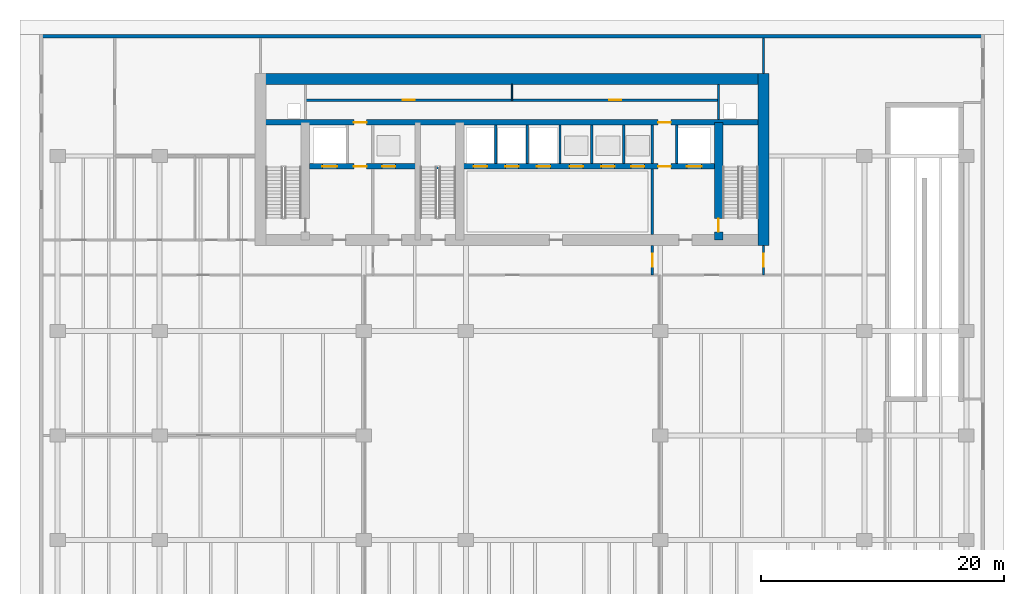
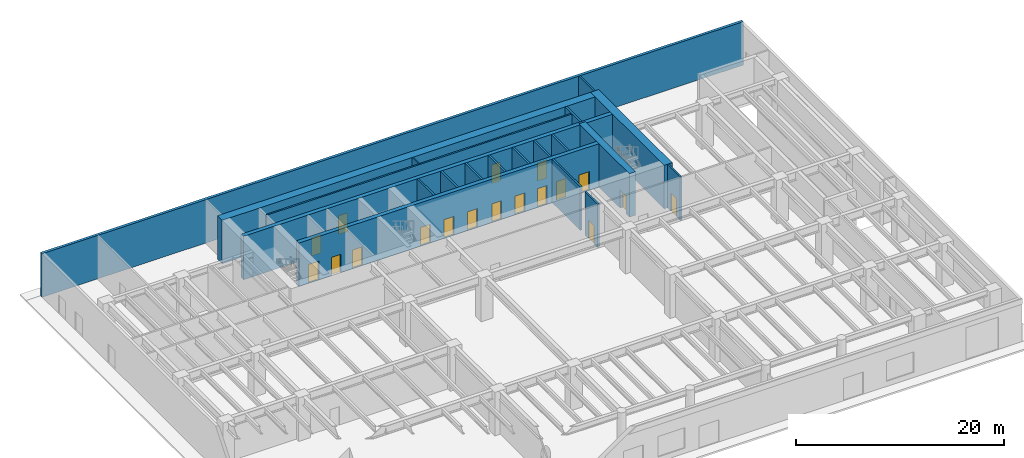
# One storey, part 6 of 11: 20 walls, 18 doors, 18 openings.
"""IFC4 building model written with IfcOpenShell, lengths in metres."""

from ifc_helpers import new_model, si_unit, direction, frame, frame_2d, origin, place, context, subcontext, project, spatial, rectangle, extrude, material, layer, layer_set, type_object, element, fill, save


model = new_model("IFC4")

# Units and contexts
model_context = context("Model", 3, precision=1e-05, world=origin(), true_north=direction((0.0, 1.0)))
body_context = subcontext(model_context, "Body", "Model", "MODEL_VIEW")
ifc_project = project(units=[si_unit("LENGTHUNIT", "METRE"), si_unit("AREAUNIT", "SQUARE_METRE"), si_unit("VOLUMEUNIT", "CUBIC_METRE"), si_unit("PLANEANGLEUNIT", "RADIAN"), si_unit("MASSUNIT", "GRAM", prefix="KILO")], contexts=[model_context])

# Site, building, storey
site_placement = place(None, origin())
site = spatial("IfcSite", under=ifc_project, at=site_placement, CompositionType="ELEMENT")
building_placement = place(site_placement, origin())
building = spatial("IfcBuilding", under=site, at=building_placement, Name="Caelmar Bay Residences", CompositionType="ELEMENT")
storey_placement = place(building_placement, origin())
storey = spatial("IfcBuildingStorey", under=building, at=storey_placement, Name="L00", CompositionType="ELEMENT", Elevation=0.0)

# Wall, opening, door
ifc_material_1 = material(Name="Concrete f'c 55 MPa (8,000 psi)", Category="concrete")
ifc_layer_1 = layer(ifc_material_1, 0.699951171875)
ifc_layer_set_1 = layer_set([ifc_layer_1], Name="Concrete f'c 55 MPa (8,000 psi)")
wall_type_1 = type_object("IfcWallType", Name="SW-COR-700", PredefinedType="SHEAR", material=ifc_layer_set_1)
wall_1_placement = place(storey_placement, frame((55.89990234375, 36.89990234375, 0.0), z_axis=(0.0, 0.0, 1.0), x_axis=(0.0, 1.0, 0.0)))
wall_1 = element("IfcWall", 1, at=wall_1_placement, inside=storey, type_object=wall_type_1, Name="L00 Core Structural Web Wall ST2W", PredefinedType="SHEAR", context=body_context, shape_type="SweptSolid", body=[
    extrude(rectangle(XDim=9.675048828125, YDim=0.699951171875, at=frame_2d((4.83740234375, 0.0))), origin(), (0.0, 0.0, 1.0), 5.10009765625),
])
opening_1_placement = place(wall_1_placement, frame((0.64990234375, 0.0, 0.0)))
opening_1 = element("IfcOpeningElement", 2, at=opening_1_placement, cuts=wall_1, Name="Opening D-L00-115", PredefinedType="OPENING", context=body_context, shape_type="SweptSolid", body=[
    extrude(rectangle(XDim=1.10009765625, YDim=2.14990234375, at=frame_2d((0.550048828125, 1.074951171875))), frame((0.0, 0.35986328125, 0.0), z_axis=(0.0, -1.0, 0.0), x_axis=(1.0, 0.0, 0.0)), (0.0, 0.0, 1.0), 0.719970703125),
])
ifc_material_2 = material(Name="Fire-rated steel and walnut architectural door assembly", Category="steel")
ifc_layer_2 = layer(ifc_material_2, 0.050048828125)
ifc_layer_set_2 = layer_set([ifc_layer_2], Name="Fire-rated steel and walnut architectural door assembly")
door_type_1 = type_object("IfcDoorType", Name="D-STAIR-1100", OperationType="NOTDEFINED", PredefinedType="DOOR", material=ifc_layer_set_2)
door_1_placement = place(opening_1_placement, origin())
door_1 = element("IfcDoor", 3, at=door_1_placement, inside=storey, type_object=door_type_1, Name="L00 Firefighting Lobby East Door", OperationType="SINGLE_SWING_RIGHT", OverallHeight=2.14990234375, OverallWidth=1.10009765625, PredefinedType="DOOR", context=body_context, shape_type="SweptSolid", body=[
    extrude(rectangle(XDim=1.10009765625, YDim=2.14990234375, at=frame_2d((0.550048828125, 1.074951171875))), frame((0.0, 0.02490234375, 0.0), z_axis=(0.0, -1.0, 0.0), x_axis=(1.0, 0.0, 0.0)), (0.0, 0.0, 1.0), 0.050048828125),
])
fill(opening_1, door_1)

# Walls
ifc_material_3 = material(Name="Concrete f'c 70 MPa (10,000 psi)", Category="concrete")
ifc_layer_3 = layer(ifc_material_3, 0.89990234375)
ifc_layer_set_3 = layer_set([ifc_layer_3], Name="Concrete f'c 70 MPa (10,000 psi)")
wall_type_2 = type_object("IfcWallType", Name="SW-COR-900", PredefinedType="SHEAR", material=ifc_layer_set_3)
wall_2_placement = place(storey_placement, frame((17.75, 50.14990234375, 0.0), z_axis=(0.0, 0.0, 1.0), x_axis=(1.0, 0.0, 0.0)))
element("IfcWall", 4, at=wall_2_placement, inside=storey, type_object=wall_type_2, Name="L00 Rear Core North Shear Wall", PredefinedType="SHEAR", context=body_context, shape_type="SweptSolid", body=[
    extrude(rectangle(XDim=42.300048828125, YDim=0.89990234375, at=frame_2d((21.14990234375, 0.0))), origin(), (0.0, 0.0, 1.0), 5.10009765625),
])
wall_3_placement = place(storey_placement, frame((59.60009765625, 36.449951171875, 0.0), z_axis=(0.0, 0.0, 1.0), x_axis=(0.0, 1.0, 0.0)))
element("IfcWall", 5, at=wall_3_placement, inside=storey, type_object=wall_type_2, Name="L00 Rear Core East Shear Wall", PredefinedType="SHEAR", context=body_context, shape_type="SweptSolid", body=[
    extrude(rectangle(XDim=14.150146484375, YDim=0.89990234375, at=frame_2d((7.0751953125, 0.0))), origin(), (0.0, 0.0, 1.0), 5.10009765625),
])

# Wall, openings, doors
ifc_layer_4 = layer(ifc_material_3, 0.449951171875)
ifc_layer_set_4 = layer_set([ifc_layer_4], Name="Concrete f'c 70 MPa (10,000 psi)")
wall_type_3 = type_object("IfcWallType", Name="SW-WEB-450", PredefinedType="SHEAR", material=ifc_layer_set_4)
wall_4_placement = place(storey_placement, frame((22.25, 42.949951171875, 0.0), z_axis=(0.0, 0.0, 1.0), x_axis=(1.0, 0.0, 0.0)))
wall_4 = element("IfcWall", 6, at=wall_4_placement, inside=storey, type_object=wall_type_3, Name="L00 Core Structural Web Wall LFR", PredefinedType="SHEAR", context=body_context, shape_type="SweptSolid", body=[
    extrude(rectangle(XDim=33.300048828125, YDim=0.449951171875, at=frame_2d((16.64990234375, 0.0))), origin(), (0.0, 0.0, 1.0), 5.10009765625),
])
opening_2_placement = place(wall_4_placement, frame((1.050048828125, 0.0, 0.0)))
opening_2 = element("IfcOpeningElement", 7, at=opening_2_placement, cuts=wall_4, Name="Opening LD2", PredefinedType="OPENING", context=body_context, shape_type="SweptSolid", body=[
    extrude(rectangle(XDim=1.199951171875, YDim=2.199951171875, at=frame_2d((0.60009765625, 1.10009765625))), frame((0.0, 0.23486328125, 0.0), z_axis=(0.0, -1.0, 0.0), x_axis=(1.0, 0.0, 0.0)), (0.0, 0.0, 1.0), 0.469970703125),
])
opening_3_placement = place(wall_4_placement, frame((31.050048828125, 0.0, 0.0)))
opening_3 = element("IfcOpeningElement", 8, at=opening_3_placement, cuts=wall_4, Name="Opening LD2", PredefinedType="OPENING", context=body_context, shape_type="SweptSolid", body=[
    extrude(rectangle(XDim=1.199951171875, YDim=2.199951171875, at=frame_2d((0.60009765625, 1.10009765625))), frame((0.0, 0.23486328125, 0.0), z_axis=(0.0, -1.0, 0.0), x_axis=(1.0, 0.0, 0.0)), (0.0, 0.0, 1.0), 0.469970703125),
])
opening_4_placement = place(wall_4_placement, frame((13.5, 0.0, 0.0)))
opening_4 = element("IfcOpeningElement", 9, at=opening_4_placement, cuts=wall_4, Name="Opening LD1", PredefinedType="OPENING", context=body_context, shape_type="SweptSolid", body=[
    extrude(rectangle(XDim=1.10009765625, YDim=2.199951171875, at=frame_2d((0.550048828125, 1.10009765625))), frame((0.0, 0.23486328125, 0.0), z_axis=(0.0, -1.0, 0.0), x_axis=(1.0, 0.0, 0.0)), (0.0, 0.0, 1.0), 0.469970703125),
])
opening_5_placement = place(wall_4_placement, frame((16.10009765625, 0.0, 0.0)))
opening_5 = element("IfcOpeningElement", 10, at=opening_5_placement, cuts=wall_4, Name="Opening LD1", PredefinedType="OPENING", context=body_context, shape_type="SweptSolid", body=[
    extrude(rectangle(XDim=1.10009765625, YDim=2.199951171875, at=frame_2d((0.550048828125, 1.10009765625))), frame((0.0, 0.23486328125, 0.0), z_axis=(0.0, -1.0, 0.0), x_axis=(1.0, 0.0, 0.0)), (0.0, 0.0, 1.0), 0.469970703125),
])
opening_6_placement = place(wall_4_placement, frame((18.699951171875, 0.0, 0.0)))
opening_6 = element("IfcOpeningElement", 11, at=opening_6_placement, cuts=wall_4, Name="Opening LD1", PredefinedType="OPENING", context=body_context, shape_type="SweptSolid", body=[
    extrude(rectangle(XDim=1.10009765625, YDim=2.199951171875, at=frame_2d((0.550048828125, 1.10009765625))), frame((0.0, 0.23486328125, 0.0), z_axis=(0.0, -1.0, 0.0), x_axis=(1.0, 0.0, 0.0)), (0.0, 0.0, 1.0), 0.469970703125),
])
opening_7_placement = place(wall_4_placement, frame((21.39990234375, 0.0, 0.0)))
opening_7 = element("IfcOpeningElement", 12, at=opening_7_placement, cuts=wall_4, Name="Opening LD1", PredefinedType="OPENING", context=body_context, shape_type="SweptSolid", body=[
    extrude(rectangle(XDim=1.10009765625, YDim=2.199951171875, at=frame_2d((0.550048828125, 1.10009765625))), frame((0.0, 0.23486328125, 0.0), z_axis=(0.0, -1.0, 0.0), x_axis=(1.0, 0.0, 0.0)), (0.0, 0.0, 1.0), 0.469970703125),
])
opening_8_placement = place(wall_4_placement, frame((24.0, 0.0, 0.0)))
opening_8 = element("IfcOpeningElement", 13, at=opening_8_placement, cuts=wall_4, Name="Opening LD1", PredefinedType="OPENING", context=body_context, shape_type="SweptSolid", body=[
    extrude(rectangle(XDim=1.10009765625, YDim=2.199951171875, at=frame_2d((0.550048828125, 1.10009765625))), frame((0.0, 0.23486328125, 0.0), z_axis=(0.0, -1.0, 0.0), x_axis=(1.0, 0.0, 0.0)), (0.0, 0.0, 1.0), 0.469970703125),
])
opening_9_placement = place(wall_4_placement, frame((26.449951171875, 0.0, 0.0)))
opening_9 = element("IfcOpeningElement", 14, at=opening_9_placement, cuts=wall_4, Name="Opening LD1", PredefinedType="OPENING", context=body_context, shape_type="SweptSolid", body=[
    extrude(rectangle(XDim=1.10009765625, YDim=2.199951171875, at=frame_2d((0.550048828125, 1.10009765625))), frame((0.0, 0.23486328125, 0.0), z_axis=(0.0, -1.0, 0.0), x_axis=(1.0, 0.0, 0.0)), (0.0, 0.0, 1.0), 0.469970703125),
])
opening_10_placement = place(wall_4_placement, frame((5.949951171875, 0.0, 0.0)))
opening_10 = element("IfcOpeningElement", 15, at=opening_10_placement, cuts=wall_4, Name="Opening LD1", PredefinedType="OPENING", context=body_context, shape_type="SweptSolid", body=[
    extrude(rectangle(XDim=1.10009765625, YDim=2.199951171875, at=frame_2d((0.550048828125, 1.10009765625))), frame((0.0, 0.23486328125, 0.0), z_axis=(0.0, -1.0, 0.0), x_axis=(1.0, 0.0, 0.0)), (0.0, 0.0, 1.0), 0.469970703125),
])
opening_11_placement = place(wall_4_placement, frame((3.625, 0.0, 0.0)))
opening_11 = element("IfcOpeningElement", 16, at=opening_11_placement, cuts=wall_4, Name="Opening D-L00-113", PredefinedType="OPENING", context=body_context, shape_type="SweptSolid", body=[
    extrude(rectangle(XDim=1.050048828125, YDim=2.14990234375, at=frame_2d((0.52490234375, 1.074951171875))), frame((0.0, 0.23486328125, 0.0), z_axis=(0.0, -1.0, 0.0), x_axis=(1.0, 0.0, 0.0)), (0.0, 0.0, 1.0), 0.469970703125),
])
opening_12_placement = place(wall_4_placement, frame((28.675048828125, 0.0, 0.0)))
opening_12 = element("IfcOpeningElement", 17, at=opening_12_placement, cuts=wall_4, Name="Opening D-L00-116", PredefinedType="OPENING", context=body_context, shape_type="SweptSolid", body=[
    extrude(rectangle(XDim=1.050048828125, YDim=2.14990234375, at=frame_2d((0.52490234375, 1.074951171875))), frame((0.0, 0.23486328125, 0.0), z_axis=(0.0, -1.0, 0.0), x_axis=(1.0, 0.0, 0.0)), (0.0, 0.0, 1.0), 0.469970703125),
])
ifc_layer_5 = layer(ifc_material_2, 0.050048828125)
ifc_layer_set_5 = layer_set([ifc_layer_5], Name="Fire-rated steel and walnut architectural door assembly")
door_type_2 = type_object("IfcDoorType", Name="D-FSAE-1050", OperationType="NOTDEFINED", PredefinedType="DOOR", material=ifc_layer_set_5)
door_2_placement = place(opening_11_placement, origin())
door_2 = element("IfcDoor", 18, at=door_2_placement, inside=storey, type_object=door_type_2, Name="L00 Firefighting Lobby West Door", OperationType="SINGLE_SWING_RIGHT", OverallHeight=2.14990234375, OverallWidth=1.050048828125, PredefinedType="DOOR", context=body_context, shape_type="SweptSolid", body=[
    extrude(rectangle(XDim=1.050048828125, YDim=2.14990234375, at=frame_2d((0.52490234375, 1.074951171875))), frame((0.0, 0.02490234375, 0.0), z_axis=(0.0, -1.0, 0.0), x_axis=(1.0, 0.0, 0.0)), (0.0, 0.0, 1.0), 0.050048828125),
])
fill(opening_11, door_2)
door_3_placement = place(opening_12_placement, origin())
door_3 = element("IfcDoor", 19, at=door_3_placement, inside=storey, type_object=door_type_2, Name="L00 Firefighting Lobby East Door", OperationType="SINGLE_SWING_LEFT", OverallHeight=2.14990234375, OverallWidth=1.050048828125, PredefinedType="DOOR", context=body_context, shape_type="SweptSolid", body=[
    extrude(rectangle(XDim=1.050048828125, YDim=2.14990234375, at=frame_2d((0.52490234375, 1.074951171875))), frame((0.0, 0.02490234375, 0.0), z_axis=(0.0, -1.0, 0.0), x_axis=(1.0, 0.0, 0.0)), (0.0, 0.0, 1.0), 0.050048828125),
])
fill(opening_12, door_3)
ifc_material_4 = material(Name="Brushed bronze stainless-steel fire-rated lift landing doors", Category="steel")
ifc_layer_6 = layer(ifc_material_4, 0.050048828125)
ifc_layer_set_6 = layer_set([ifc_layer_6], Name="Brushed bronze stainless-steel fire-rated lift landing doors")
door_type_3 = type_object("IfcDoorType", Name="D-LND-1100", OperationType="DOUBLE_DOOR_SLIDING", PredefinedType="DOOR", material=ifc_layer_set_6)
door_4_placement = place(opening_4_placement, origin())
door_4 = element("IfcDoor", 20, at=door_4_placement, inside=storey, type_object=door_type_3, Name="L00 LP1 Sliding Landing Door", OperationType="DOUBLE_DOOR_SLIDING", OverallHeight=2.199951171875, OverallWidth=1.10009765625, PredefinedType="DOOR", context=body_context, shape_type="SweptSolid", body=[
    extrude(rectangle(XDim=1.10009765625, YDim=2.199951171875, at=frame_2d((0.550048828125, 1.10009765625))), frame((0.0, 0.02490234375, 0.0), z_axis=(0.0, -1.0, 0.0), x_axis=(1.0, 0.0, 0.0)), (0.0, 0.0, 1.0), 0.050048828125),
])
fill(opening_4, door_4)
door_5_placement = place(opening_5_placement, origin())
door_5 = element("IfcDoor", 21, at=door_5_placement, inside=storey, type_object=door_type_3, Name="L00 LP2 Sliding Landing Door", OperationType="DOUBLE_DOOR_SLIDING", OverallHeight=2.199951171875, OverallWidth=1.10009765625, PredefinedType="DOOR", context=body_context, shape_type="SweptSolid", body=[
    extrude(rectangle(XDim=1.10009765625, YDim=2.199951171875, at=frame_2d((0.550048828125, 1.10009765625))), frame((0.0, 0.02490234375, 0.0), z_axis=(0.0, -1.0, 0.0), x_axis=(1.0, 0.0, 0.0)), (0.0, 0.0, 1.0), 0.050048828125),
])
fill(opening_5, door_5)
door_6_placement = place(opening_6_placement, origin())
door_6 = element("IfcDoor", 22, at=door_6_placement, inside=storey, type_object=door_type_3, Name="L00 LP3 Sliding Landing Door", OperationType="DOUBLE_DOOR_SLIDING", OverallHeight=2.199951171875, OverallWidth=1.10009765625, PredefinedType="DOOR", context=body_context, shape_type="SweptSolid", body=[
    extrude(rectangle(XDim=1.10009765625, YDim=2.199951171875, at=frame_2d((0.550048828125, 1.10009765625))), frame((0.0, 0.02490234375, 0.0), z_axis=(0.0, -1.0, 0.0), x_axis=(1.0, 0.0, 0.0)), (0.0, 0.0, 1.0), 0.050048828125),
])
fill(opening_6, door_6)
door_7_placement = place(opening_7_placement, origin())
door_7 = element("IfcDoor", 23, at=door_7_placement, inside=storey, type_object=door_type_3, Name="L00 LP4 Sliding Landing Door", OperationType="DOUBLE_DOOR_SLIDING", OverallHeight=2.199951171875, OverallWidth=1.10009765625, PredefinedType="DOOR", context=body_context, shape_type="SweptSolid", body=[
    extrude(rectangle(XDim=1.10009765625, YDim=2.199951171875, at=frame_2d((0.550048828125, 1.10009765625))), frame((0.0, 0.02490234375, 0.0), z_axis=(0.0, -1.0, 0.0), x_axis=(1.0, 0.0, 0.0)), (0.0, 0.0, 1.0), 0.050048828125),
])
fill(opening_7, door_7)
door_8_placement = place(opening_8_placement, origin())
door_8 = element("IfcDoor", 24, at=door_8_placement, inside=storey, type_object=door_type_3, Name="L00 LP5 Sliding Landing Door", OperationType="DOUBLE_DOOR_SLIDING", OverallHeight=2.199951171875, OverallWidth=1.10009765625, PredefinedType="DOOR", context=body_context, shape_type="SweptSolid", body=[
    extrude(rectangle(XDim=1.10009765625, YDim=2.199951171875, at=frame_2d((0.550048828125, 1.10009765625))), frame((0.0, 0.02490234375, 0.0), z_axis=(0.0, -1.0, 0.0), x_axis=(1.0, 0.0, 0.0)), (0.0, 0.0, 1.0), 0.050048828125),
])
fill(opening_8, door_8)
door_9_placement = place(opening_9_placement, origin())
door_9 = element("IfcDoor", 25, at=door_9_placement, inside=storey, type_object=door_type_3, Name="L00 LP6 Sliding Landing Door", OperationType="DOUBLE_DOOR_SLIDING", OverallHeight=2.199951171875, OverallWidth=1.10009765625, PredefinedType="DOOR", context=body_context, shape_type="SweptSolid", body=[
    extrude(rectangle(XDim=1.10009765625, YDim=2.199951171875, at=frame_2d((0.550048828125, 1.10009765625))), frame((0.0, 0.02490234375, 0.0), z_axis=(0.0, -1.0, 0.0), x_axis=(1.0, 0.0, 0.0)), (0.0, 0.0, 1.0), 0.050048828125),
])
fill(opening_9, door_9)
door_10_placement = place(opening_10_placement, origin())
door_10 = element("IfcDoor", 26, at=door_10_placement, inside=storey, type_object=door_type_3, Name="L00 LP7 Sliding Landing Door", OperationType="DOUBLE_DOOR_SLIDING", OverallHeight=2.199951171875, OverallWidth=1.10009765625, PredefinedType="DOOR", context=body_context, shape_type="SweptSolid", body=[
    extrude(rectangle(XDim=1.10009765625, YDim=2.199951171875, at=frame_2d((0.550048828125, 1.10009765625))), frame((0.0, 0.02490234375, 0.0), z_axis=(0.0, -1.0, 0.0), x_axis=(1.0, 0.0, 0.0)), (0.0, 0.0, 1.0), 0.050048828125),
])
fill(opening_10, door_10)
ifc_material_5 = material(Name="Brushed stainless-steel FSAE sliding landing door", Category="steel")
ifc_layer_7 = layer(ifc_material_5, 0.050048828125)
ifc_layer_set_7 = layer_set([ifc_layer_7], Name="Brushed stainless-steel FSAE sliding landing door")
door_type_4 = type_object("IfcDoorType", Name="D-LND-1200", OperationType="DOUBLE_DOOR_SLIDING", PredefinedType="DOOR", material=ifc_layer_set_7)
door_11_placement = place(opening_2_placement, origin())
door_11 = element("IfcDoor", 27, at=door_11_placement, inside=storey, type_object=door_type_4, Name="L00 LF1 Sliding Landing Door", OperationType="DOUBLE_DOOR_SLIDING", OverallHeight=2.199951171875, OverallWidth=1.199951171875, PredefinedType="DOOR", context=body_context, shape_type="SweptSolid", body=[
    extrude(rectangle(XDim=1.199951171875, YDim=2.199951171875, at=frame_2d((0.60009765625, 1.10009765625))), frame((0.0, 0.02490234375, 0.0), z_axis=(0.0, -1.0, 0.0), x_axis=(1.0, 0.0, 0.0)), (0.0, 0.0, 1.0), 0.050048828125),
])
fill(opening_2, door_11)
door_12_placement = place(opening_3_placement, origin())
door_12 = element("IfcDoor", 28, at=door_12_placement, inside=storey, type_object=door_type_4, Name="L00 LF2 Sliding Landing Door", OperationType="DOUBLE_DOOR_SLIDING", OverallHeight=2.199951171875, OverallWidth=1.199951171875, PredefinedType="DOOR", context=body_context, shape_type="SweptSolid", body=[
    extrude(rectangle(XDim=1.199951171875, YDim=2.199951171875, at=frame_2d((0.60009765625, 1.10009765625))), frame((0.0, 0.02490234375, 0.0), z_axis=(0.0, -1.0, 0.0), x_axis=(1.0, 0.0, 0.0)), (0.0, 0.0, 1.0), 0.050048828125),
])
fill(opening_3, door_12)

wall_5_placement = place(storey_placement, frame((18.199951171875, 46.574951171875, 0.0), z_axis=(0.0, 0.0, 1.0), x_axis=(1.0, 0.0, 0.0)))
wall_5 = element("IfcWall", 29, at=wall_5_placement, inside=storey, type_object=wall_type_3, Name="L00 Core Structural Web Wall SRVS", PredefinedType="SHEAR", context=body_context, shape_type="SweptSolid", body=[
    extrude(rectangle(XDim=41.400146484375, YDim=0.449951171875, at=frame_2d((20.7001953125, 0.0))), origin(), (0.0, 0.0, 1.0), 5.10009765625),
])
opening_13_placement = place(wall_5_placement, frame((7.675048828125, 0.0, 0.0)))
opening_13 = element("IfcOpeningElement", 30, at=opening_13_placement, cuts=wall_5, Name="Opening D-L00-119", PredefinedType="OPENING", context=body_context, shape_type="SweptSolid", body=[
    extrude(rectangle(XDim=1.050048828125, YDim=2.14990234375, at=frame_2d((0.52490234375, 1.074951171875))), frame((0.0, 0.23486328125, 0.0), z_axis=(0.0, -1.0, 0.0), x_axis=(1.0, 0.0, 0.0)), (0.0, 0.0, 1.0), 0.469970703125),
])
opening_14_placement = place(wall_5_placement, frame((32.72509765625, 0.0, 0.0)))
opening_14 = element("IfcOpeningElement", 31, at=opening_14_placement, cuts=wall_5, Name="Opening D-L00-120", PredefinedType="OPENING", context=body_context, shape_type="SweptSolid", body=[
    extrude(rectangle(XDim=1.050048828125, YDim=2.14990234375, at=frame_2d((0.52490234375, 1.074951171875))), frame((0.0, 0.23486328125, 0.0), z_axis=(0.0, -1.0, 0.0), x_axis=(1.0, 0.0, 0.0)), (0.0, 0.0, 1.0), 0.469970703125),
])
door_13_placement = place(opening_13_placement, origin())
door_13 = element("IfcDoor", 32, at=door_13_placement, inside=storey, type_object=door_type_2, Name="L00 Core Service Corridor Door", OperationType="SINGLE_SWING_RIGHT", OverallHeight=2.14990234375, OverallWidth=1.050048828125, PredefinedType="DOOR", context=body_context, shape_type="SweptSolid", body=[
    extrude(rectangle(XDim=1.050048828125, YDim=2.14990234375, at=frame_2d((0.52490234375, 1.074951171875))), frame((0.0, 0.02490234375, 0.0), z_axis=(0.0, -1.0, 0.0), x_axis=(1.0, 0.0, 0.0)), (0.0, 0.0, 1.0), 0.050048828125),
])
fill(opening_13, door_13)
door_14_placement = place(opening_14_placement, origin())
door_14 = element("IfcDoor", 33, at=door_14_placement, inside=storey, type_object=door_type_2, Name="L00 Core Service Corridor Door", OperationType="SINGLE_SWING_LEFT", OverallHeight=2.14990234375, OverallWidth=1.050048828125, PredefinedType="DOOR", context=body_context, shape_type="SweptSolid", body=[
    extrude(rectangle(XDim=1.050048828125, YDim=2.14990234375, at=frame_2d((0.52490234375, 1.074951171875))), frame((0.0, 0.02490234375, 0.0), z_axis=(0.0, -1.0, 0.0), x_axis=(1.0, 0.0, 0.0)), (0.0, 0.0, 1.0), 0.050048828125),
])
fill(opening_14, door_14)

# Wall, opening, door
ifc_material_6 = material(Name="Double-stud acoustic fire-rated gypsum partition 180 mm")
ifc_layer_8 = layer(ifc_material_6, 0.179931640625)
ifc_layer_set_8 = layer_set([ifc_layer_8], Name="Double-stud acoustic fire-rated gypsum partition 180 mm")
wall_type_4 = type_object("IfcWallType", Name="W-COR-200", PredefinedType="PARTITIONING", material=ifc_layer_set_8)
wall_6_placement = place(storey_placement, frame((50.449951171875, 34.0, 0.0), z_axis=(0.0, 0.0, 1.0), x_axis=(0.0, 1.0, 0.0)))
wall_6 = element("IfcWall", 34, at=wall_6_placement, inside=storey, type_object=wall_type_4, Name="L00 Partition Wall V017", PredefinedType="PARTITIONING", context=body_context, shape_type="SweptSolid", body=[
    extrude(rectangle(XDim=2.455078125, YDim=0.179931640625, at=frame_2d((1.2275390625, 0.0))), origin(), (0.0, 0.0, 1.0), 5.10009765625),
])
opening_15_placement = place(wall_6_placement, frame((0.677490234375, 0.0, 0.0)))
opening_15 = element("IfcOpeningElement", 35, at=opening_15_placement, cuts=wall_6, Name="Opening D-L00-124", PredefinedType="OPENING", context=body_context, shape_type="SweptSolid", body=[
    extrude(rectangle(XDim=1.10009765625, YDim=2.14990234375, at=frame_2d((0.550048828125, 1.074951171875))), frame((0.0, 0.099853515625, 0.0), z_axis=(0.0, -1.0, 0.0), x_axis=(1.0, 0.0, 0.0)), (0.0, 0.0, 1.0), 0.199951171875),
])
door_15_placement = place(opening_15_placement, origin())
door_15 = element("IfcDoor", 36, at=door_15_placement, inside=storey, type_object=door_type_1, Name="L00 East Protected Exit Passageway Door", OperationType="SINGLE_SWING_LEFT", OverallHeight=2.14990234375, OverallWidth=1.10009765625, PredefinedType="DOOR", context=body_context, shape_type="SweptSolid", body=[
    extrude(rectangle(XDim=1.10009765625, YDim=2.14990234375, at=frame_2d((0.550048828125, 1.074951171875))), frame((0.0, 0.02490234375, 0.0), z_axis=(0.0, -1.0, 0.0), x_axis=(1.0, 0.0, 0.0)), (0.0, 0.0, 1.0), 0.050048828125),
])
fill(opening_15, door_15)

wall_7_placement = place(storey_placement, frame((59.60009765625, 34.0, 0.0), z_axis=(0.0, 0.0, 1.0), x_axis=(0.0, 1.0, 0.0)))
wall_7 = element("IfcWall", 37, at=wall_7_placement, inside=storey, type_object=wall_type_4, Name="L00 Partition Wall V023", PredefinedType="PARTITIONING", context=body_context, shape_type="SweptSolid", body=[
    extrude(rectangle(XDim=2.445068359375, YDim=0.179931640625, at=frame_2d((1.22265625, 0.0))), origin(), (0.0, 0.0, 1.0), 5.10009765625),
])
opening_16_placement = place(wall_7_placement, frame((0.672607421875, 0.0, 0.0)))
opening_16 = element("IfcOpeningElement", 38, at=opening_16_placement, cuts=wall_7, Name="Opening D-L00-132", PredefinedType="OPENING", context=body_context, shape_type="SweptSolid", body=[
    extrude(rectangle(XDim=1.10009765625, YDim=2.14990234375, at=frame_2d((0.550048828125, 1.074951171875))), frame((0.0, 0.099853515625, 0.0), z_axis=(0.0, -1.0, 0.0), x_axis=(1.0, 0.0, 0.0)), (0.0, 0.0, 1.0), 0.199951171875),
])
door_16_placement = place(opening_16_placement, origin())
door_16 = element("IfcDoor", 39, at=door_16_placement, inside=storey, type_object=door_type_1, Name="L00 East Exit Passageway Door", OperationType="SINGLE_SWING_LEFT", OverallHeight=2.14990234375, OverallWidth=1.10009765625, PredefinedType="DOOR", context=body_context, shape_type="SweptSolid", body=[
    extrude(rectangle(XDim=1.10009765625, YDim=2.14990234375, at=frame_2d((0.550048828125, 1.074951171875))), frame((0.0, 0.02490234375, 0.0), z_axis=(0.0, -1.0, 0.0), x_axis=(1.0, 0.0, 0.0)), (0.0, 0.0, 1.0), 0.050048828125),
])
fill(opening_16, door_16)

# Wall
wall_8_placement = place(storey_placement, frame((59.60009765625, 50.60498046875, 0.0), z_axis=(0.0, 0.0, 1.0), x_axis=(0.0, 1.0, 0.0)))
element("IfcWall", 40, at=wall_8_placement, inside=storey, type_object=wall_type_4, Name="L00 Partition Wall V024", PredefinedType="PARTITIONING", context=body_context, shape_type="SweptSolid", body=[
    extrude(rectangle(XDim=2.89990234375, YDim=0.179931640625, at=frame_2d((1.449951171875, 0.0))), origin(), (0.0, 0.0, 1.0), 5.10009765625),
])

# Wall, openings, doors
wall_9_placement = place(storey_placement, frame((21.89990234375, 48.39990234375, 0.0), z_axis=(0.0, 0.0, 1.0), x_axis=(1.0, 0.0, 0.0)))
wall_9 = element("IfcWall", 41, at=wall_9_placement, inside=storey, type_object=wall_type_4, Name="L00 Partition Wall H032", PredefinedType="PARTITIONING", context=body_context, shape_type="SweptSolid", body=[
    extrude(rectangle(XDim=34.0, YDim=0.179931640625, at=frame_2d((17.0, 0.0))), origin(), (0.0, 0.0, 1.0), 5.10009765625),
])
opening_17_placement = place(wall_9_placement, frame((8.0, 0.0, 0.0)))
opening_17 = element("IfcOpeningElement", 42, at=opening_17_placement, cuts=wall_9, Name="Opening D-L00-121", PredefinedType="OPENING", context=body_context, shape_type="SweptSolid", body=[
    extrude(rectangle(XDim=1.0, YDim=2.199951171875, at=frame_2d((0.5, 1.10009765625))), frame((0.0, 0.099853515625, 0.0), z_axis=(0.0, -1.0, 0.0), x_axis=(1.0, 0.0, 0.0)), (0.0, 0.0, 1.0), 0.199951171875),
])
opening_18_placement = place(wall_9_placement, frame((25.0, 0.0, 0.0)))
opening_18 = element("IfcOpeningElement", 43, at=opening_18_placement, cuts=wall_9, Name="Opening D-L00-122", PredefinedType="OPENING", context=body_context, shape_type="SweptSolid", body=[
    extrude(rectangle(XDim=1.0, YDim=2.199951171875, at=frame_2d((0.5, 1.10009765625))), frame((0.0, 0.099853515625, 0.0), z_axis=(0.0, -1.0, 0.0), x_axis=(1.0, 0.0, 0.0)), (0.0, 0.0, 1.0), 0.199951171875),
])
ifc_layer_9 = layer(ifc_material_2, 0.050048828125)
ifc_layer_set_9 = layer_set([ifc_layer_9], Name="Fire-rated steel and walnut architectural door assembly")
door_type_5 = type_object("IfcDoorType", Name="D-UNIT-1000", OperationType="NOTDEFINED", PredefinedType="DOOR", material=ifc_layer_set_9)
door_17_placement = place(opening_17_placement, origin())
door_17 = element("IfcDoor", 44, at=door_17_placement, inside=storey, type_object=door_type_5, Name="L00 Building Management Office Door", OperationType="SINGLE_SWING_RIGHT", OverallHeight=2.199951171875, OverallWidth=1.0, PredefinedType="DOOR", context=body_context, shape_type="SweptSolid", body=[
    extrude(rectangle(XDim=1.0, YDim=2.199951171875, at=frame_2d((0.5, 1.10009765625))), frame((0.0, 0.02490234375, 0.0), z_axis=(0.0, -1.0, 0.0), x_axis=(1.0, 0.0, 0.0)), (0.0, 0.0, 1.0), 0.050048828125),
])
fill(opening_17, door_17)
door_18_placement = place(opening_18_placement, origin())
door_18 = element("IfcDoor", 45, at=door_18_placement, inside=storey, type_object=door_type_5, Name="L00 Concierge Operations Office Door", OperationType="SINGLE_SWING_LEFT", OverallHeight=2.199951171875, OverallWidth=1.0, PredefinedType="DOOR", context=body_context, shape_type="SweptSolid", body=[
    extrude(rectangle(XDim=1.0, YDim=2.199951171875, at=frame_2d((0.5, 1.10009765625))), frame((0.0, 0.02490234375, 0.0), z_axis=(0.0, -1.0, 0.0), x_axis=(1.0, 0.0, 0.0)), (0.0, 0.0, 1.0), 0.050048828125),
])
fill(opening_18, door_18)

# Walls
ifc_material_7 = material(Name="Precast concrete f'c 40 MPa (6,000 psi)", Category="concrete")
ifc_layer_10 = layer(ifc_material_7, 0.300048828125)
ifc_layer_set_10 = layer_set([ifc_layer_10], Name="Precast concrete f'c 40 MPa (6,000 psi)")
wall_type_5 = type_object("IfcWallType", Name="W-EXT-300", PredefinedType="STANDARD", material=ifc_layer_set_10)
wall_10_placement = place(storey_placement, frame((0.0, 53.64990234375, 0.0), z_axis=(0.0, 0.0, 1.0), x_axis=(1.0, 0.0, 0.0)))
element("IfcWall", 46, at=wall_10_placement, inside=storey, type_object=wall_type_5, Name="L00 North Podium Exterior Wall", PredefinedType="STANDARD", context=body_context, shape_type="SweptSolid", body=[
    extrude(rectangle(XDim=77.800048828125, YDim=0.300048828125, at=frame_2d((38.89990234375, 0.0))), origin(), (0.0, 0.0, 1.0), 5.10009765625),
])
ifc_material_8 = material(Name="Fire-rated masonry and gypsum shaftliner assembly 200 mm", Category="masonry")
ifc_layer_11 = layer(ifc_material_8, 0.199951171875)
ifc_layer_set_11 = layer_set([ifc_layer_11], Name="Fire-rated masonry and gypsum shaftliner assembly 200 mm")
wall_type_6 = type_object("IfcWallType", Name="W-FSAE-200", PredefinedType="PARTITIONING", material=ifc_layer_set_11)
for number, where, z_axis, x_axis, name in (
    (47, (37.550048828125, 43.169921875, 0.0), (0.0, 0.0, 1.0), (0.0, 1.0, 0.0), "L00 Partition Wall V011"),
    (48, (40.14990234375, 43.169921875, 0.0), (0.0, 0.0, 1.0), (0.0, 1.0, 0.0), "L00 Partition Wall V013"),
    (49, (42.85009765625, 43.169921875, 0.0), (0.0, 0.0, 1.0), (0.0, 1.0, 0.0), "L00 Partition Wall V014"),
    (50, (45.449951171875, 43.169921875, 0.0), (0.0, 0.0, 1.0), (0.0, 1.0, 0.0), "L00 Partition Wall V015"),
    (51, (48.10009765625, 43.169921875, 0.0), (0.0, 0.0, 1.0), (0.0, 1.0, 0.0), "L00 Partition Wall V016"),
):
    element("IfcWall", number, at=place(storey_placement, frame(where, z_axis=z_axis, x_axis=x_axis)), inside=storey, type_object=wall_type_6, Name=name, PredefinedType="PARTITIONING", context=body_context, shape_type="SweptSolid", body=[
        extrude(rectangle(XDim=3.18505859375, YDim=0.199951171875, at=frame_2d((1.592529296875, 0.0))), origin(), (0.0, 0.0, 1.0), 5.10009765625),
    ])
wall_11_placement = place(storey_placement, frame((50.449951171875, 37.344970703125, 0.0), z_axis=(0.0, 0.0, 1.0), x_axis=(0.0, 1.0, 0.0)))
element("IfcWall", 52, at=wall_11_placement, inside=storey, type_object=wall_type_6, Name="L00 Partition Wall V018", PredefinedType="PARTITIONING", context=body_context, shape_type="SweptSolid", body=[
    extrude(rectangle(XDim=5.385009765625, YDim=0.199951171875, at=frame_2d((2.6923828125, 0.0))), origin(), (0.0, 0.0, 1.0), 5.10009765625),
])
for number, where, z_axis, x_axis, name in (
    (53, (50.449951171875, 43.169921875, 0.0), (0.0, 0.0, 1.0), (0.0, 1.0, 0.0), "L00 Partition Wall V019"),
    (54, (52.449951171875, 43.169921875, 0.0), (0.0, 0.0, 1.0), (0.0, 1.0, 0.0), "L00 Partition Wall V021"),
):
    element("IfcWall", number, at=place(storey_placement, frame(where, z_axis=z_axis, x_axis=x_axis)), inside=storey, type_object=wall_type_6, Name=name, PredefinedType="PARTITIONING", context=body_context, shape_type="SweptSolid", body=[
        extrude(rectangle(XDim=3.18505859375, YDim=0.199951171875, at=frame_2d((1.592529296875, 0.0))), origin(), (0.0, 0.0, 1.0), 5.10009765625),
    ])
wall_12_placement = place(storey_placement, frame((55.89990234375, 46.794921875, 0.0), z_axis=(0.0, 0.0, 1.0), x_axis=(0.0, 1.0, 0.0)))
element("IfcWall", 55, at=wall_12_placement, inside=storey, type_object=wall_type_6, Name="L00 Partition Wall V022", PredefinedType="PARTITIONING", context=body_context, shape_type="SweptSolid", body=[
    extrude(rectangle(XDim=2.91015625, YDim=0.199951171875, at=frame_2d((1.455078125, 0.0))), origin(), (0.0, 0.0, 1.0), 5.10009765625),
])
ifc_material_9 = material(Name="Acoustic metal-stud gypsum partition 120 mm")
ifc_layer_12 = layer(ifc_material_9, 0.1201171875)
ifc_layer_set_12 = layer_set([ifc_layer_12], Name="Acoustic metal-stud gypsum partition 120 mm")
wall_type_7 = type_object("IfcWallType", Name="W-PRT-120", PredefinedType="PARTITIONING", material=ifc_layer_set_12)
wall_13_placement = place(storey_placement, frame((38.89990234375, 48.39990234375, 0.0), z_axis=(0.0, 0.0, 1.0), x_axis=(0.0, 1.0, 0.0)))
element("IfcWall", 56, at=wall_13_placement, inside=storey, type_object=wall_type_7, Name="L00 Partition Wall V012", PredefinedType="PARTITIONING", context=body_context, shape_type="SweptSolid", body=[
    extrude(rectangle(XDim=1.30517578125, YDim=0.1201171875, at=frame_2d((0.652587890625, 0.0))), origin(), (0.0, 0.0, 1.0), 5.10009765625),
])

save(model, "model.ifc")
